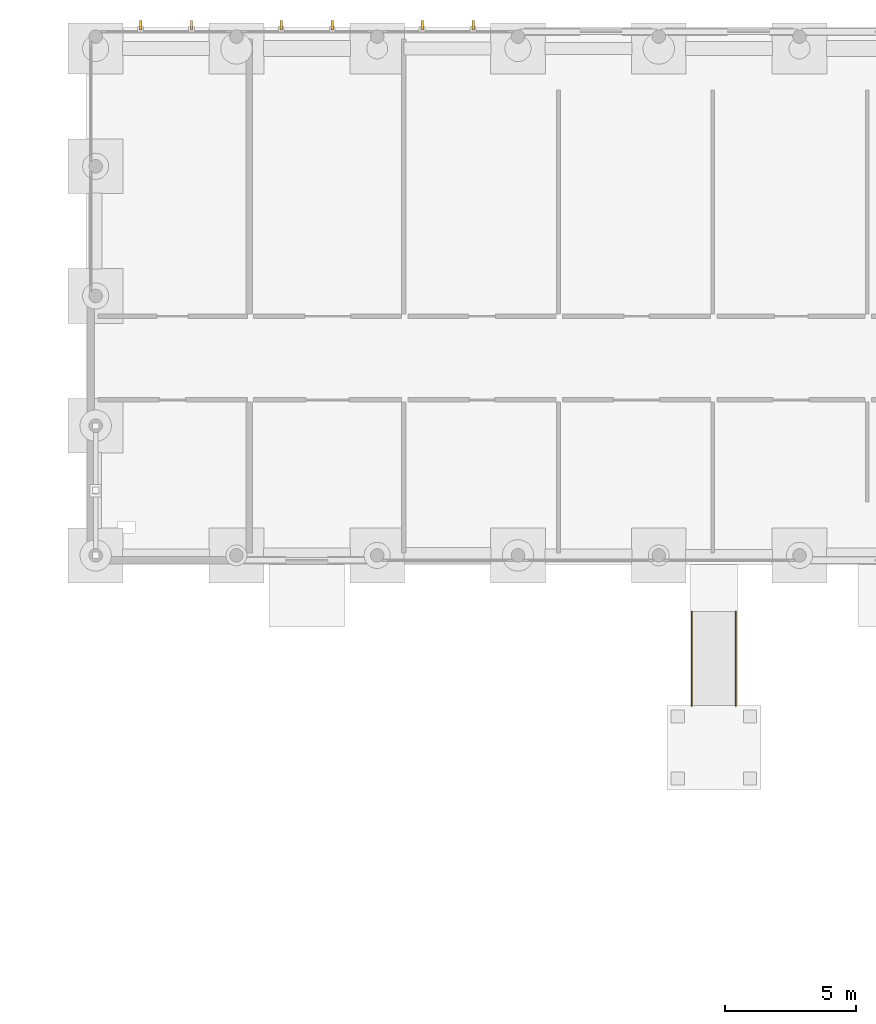
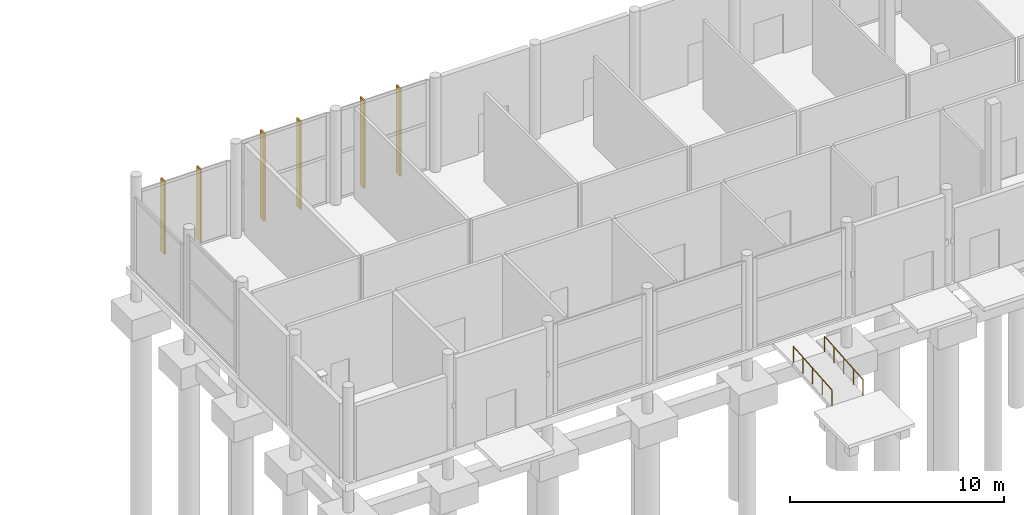
# One storey, part 83 of 88: 6 shading devices, 2 railings.
"""IFC4 building model written with IfcOpenShell, lengths in metres."""

from ifc_helpers import new_model, si_unit, direction, frame, origin, origin_2d, place, context, subcontext, project, spatial, rectangle, circle, extrude, material, type_object, element, save


model = new_model("IFC4")

# Units and contexts
model_context = context("Model", 3, precision=1e-05, world=origin(), true_north=direction((0.0, 1.0)))
body_context = subcontext(model_context, "Body", "Model", "MODEL_VIEW")
ifc_project = project(units=[si_unit("LENGTHUNIT", "METRE"), si_unit("AREAUNIT", "SQUARE_METRE"), si_unit("VOLUMEUNIT", "CUBIC_METRE"), si_unit("PLANEANGLEUNIT", "RADIAN"), si_unit("MASSUNIT", "GRAM", prefix="KILO")], contexts=[model_context])

# Site, building, storey
site_placement = place(None, origin())
site = spatial("IfcSite", under=ifc_project, at=site_placement, CompositionType="ELEMENT")
building_placement = place(site_placement, origin())
building = spatial("IfcBuilding", under=site, at=building_placement, Name="Birchvale Park Specialist Clinic", CompositionType="ELEMENT")
storey_placement = place(building_placement, origin())
storey = spatial("IfcBuildingStorey", under=building, at=storey_placement, Name="L00", CompositionType="ELEMENT", Elevation=0.0)

# Railings
ifc_material_1 = material(Name="Anodised aluminium handrail", Category="aluminium")
railing_type = type_object("IfcRailingType", Name="RL-HND1", PredefinedType="HANDRAIL", material=ifc_material_1)
for number, where, name in (
    (1, (76.639892578125, 85.800048828125, -0.300048828125), "Accessible ramp handrail AR-3 L"),
    (2, (74.9599609375, 85.800048828125, -0.300048828125), "Accessible ramp handrail AR-3 R"),
):
    element("IfcRailing", number, at=place(storey_placement, frame(where)), inside=storey, type_object=railing_type, Name=name, PredefinedType="HANDRAIL", context=body_context, shape_type="SweptSolid", body=[
        extrude(circle(Radius=0.02392578125, at=origin_2d()), frame((0.0, 0.0, 0.89599609375), z_axis=(0.0, 0.996544359788, 0.083062259626), x_axis=(-1.0, 0.0, 0.0)), (0.0, 0.0, 1.0), 3.6123046875),
        extrude(circle(Radius=0.02099609375, at=origin_2d()), origin(), (0.0, 0.0, 1.0), 0.871826171875),
        extrude(circle(Radius=0.02099609375, at=origin_2d()), frame((0.0, 0.89990234375, 0.074951171875)), (0.0, 0.0, 1.0), 0.871826171875),
        extrude(circle(Radius=0.02099609375, at=origin_2d()), frame((0.0, 1.7998046875, 0.14990234375)), (0.0, 0.0, 1.0), 0.871826171875),
        extrude(circle(Radius=0.02099609375, at=origin_2d()), frame((0.0, 2.699951171875, 0.22509765625)), (0.0, 0.0, 1.0), 0.871826171875),
        extrude(circle(Radius=0.02099609375, at=origin_2d()), frame((0.0, 3.599853515625, 0.300048828125)), (0.0, 0.0, 1.0), 0.871826171875),
    ])

# Shading devices
ifc_material_2 = material(Name="Glulam GL28h", Category="wood")
shading_device_type = type_object("IfcShadingDeviceType", Name="SHD-FIN1", PredefinedType="USERDEFINED", material=ifc_material_2)
for number, where, z_axis, x_axis, name in (
    (3, (66.58935546875, 111.8349609375, 0.050048828125), (0.0, 0.0, 1.0), (0.0, 1.0, 0.0), "V3 L00 glulam solar fin 3"),
    (4, (64.63916015625, 111.8349609375, 0.050048828125), (0.0, 0.0, 1.0), (0.0, 1.0, 0.0), "V3 L00 glulam solar fin 4"),
    (5, (61.20361328125, 111.8349609375, 0.050048828125), (0.0, 0.0, 1.0), (0.0, 1.0, 0.0), "V3 L00 glulam solar fin 5"),
    (6, (59.25341796875, 111.8349609375, 0.050048828125), (0.0, 0.0, 1.0), (0.0, 1.0, 0.0), "V3 L00 glulam solar fin 6"),
):
    element("IfcShadingDevice", number, at=place(storey_placement, frame(where, z_axis=z_axis, x_axis=x_axis)), inside=storey, type_object=shading_device_type, Name=name, ObjectType="FIN", PredefinedType="USERDEFINED", context=body_context, shape_type="SweptSolid", body=[
        extrude(rectangle(XDim=0.360107421875, YDim=0.090087890625, at=origin_2d()), origin(), (0.0, 0.0, 1.0), 5.02490234375),
    ])
for number, where, z_axis, x_axis, name in (
    (7, (55.818115234375, 111.8349609375, 0.050048828125), (0.0, 0.0, 1.0), (0.0, 1.0, 0.0), "V3 L00 glulam solar fin 7"),
    (8, (53.86767578125, 111.8349609375, 0.050048828125), (0.0, 0.0, 1.0), (0.0, 1.0, 0.0), "V3 L00 glulam solar fin 8"),
):
    element("IfcShadingDevice", number, at=place(storey_placement, frame(where, z_axis=z_axis, x_axis=x_axis)), inside=storey, type_object=shading_device_type, Name=name, ObjectType="FIN", PredefinedType="USERDEFINED", context=body_context, shape_type="SweptSolid", body=[
        extrude(rectangle(XDim=0.360107421875, YDim=0.090087890625, at=origin_2d()), origin(), (0.0, 0.0, 1.0), 4.1650390625),
    ])

save(model, "model.ifc")
